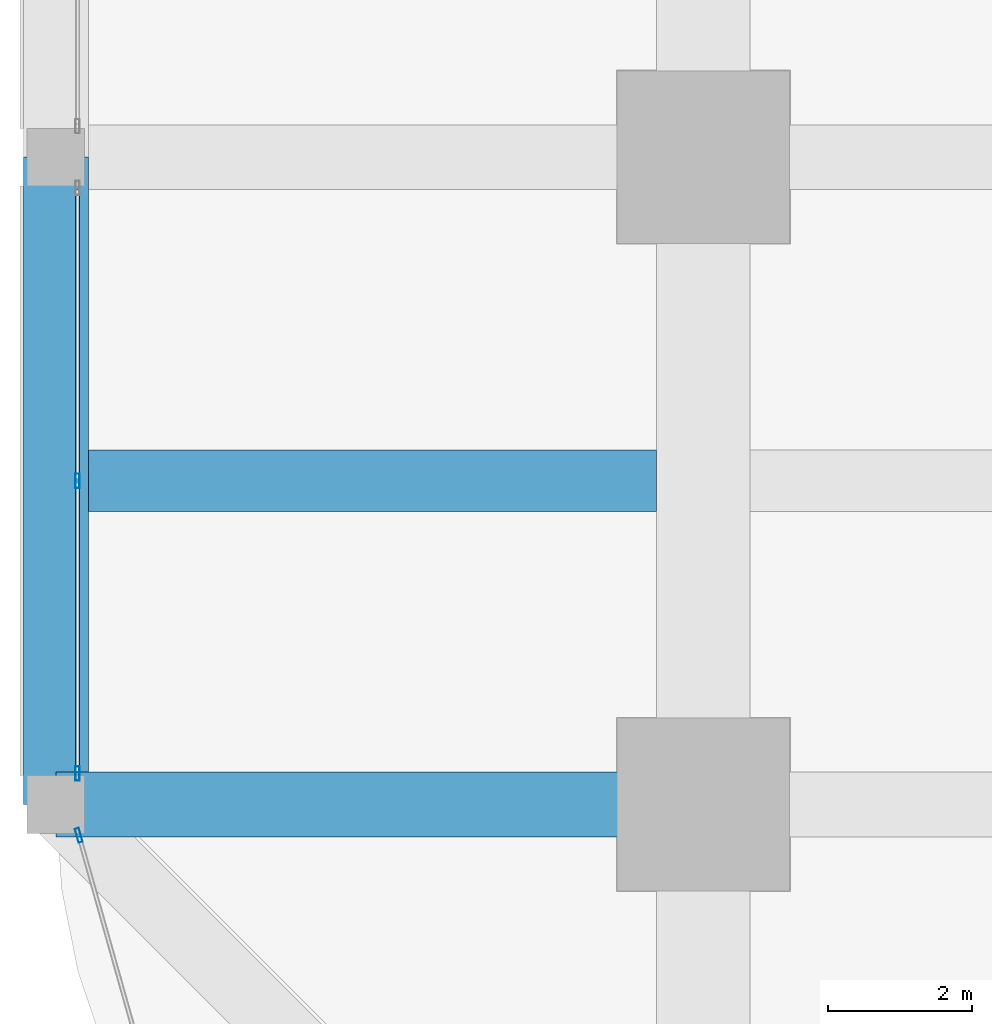
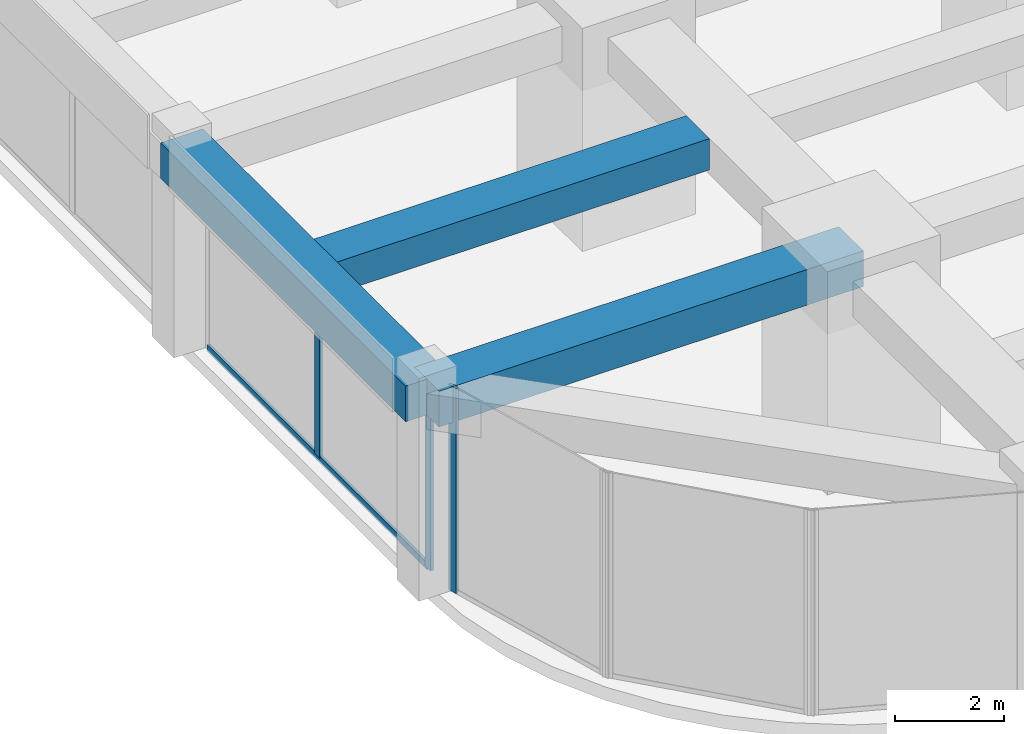
# One storey, part 4 of 46: 4 members, 3 beams, 2 elements without a shape of their own.
"""IFC4 building model written with IfcOpenShell, lengths in metres."""

from ifc_helpers import new_model, si_unit, direction, frame, origin, origin_2d, place, context, subcontext, project, spatial, rectangle, hollow_rectangle, extrude, material, material_profile, profile_set, type_object, element, aggregate, save


model = new_model("IFC4")

# Units and contexts
model_context = context("Model", 3, precision=1e-05, world=origin(), true_north=direction((0.0, 1.0)))
body_context = subcontext(model_context, "Body", "Model", "MODEL_VIEW")
ifc_project = project(units=[si_unit("LENGTHUNIT", "METRE"), si_unit("AREAUNIT", "SQUARE_METRE"), si_unit("VOLUMEUNIT", "CUBIC_METRE"), si_unit("PLANEANGLEUNIT", "RADIAN"), si_unit("MASSUNIT", "GRAM", prefix="KILO")], contexts=[model_context])

# Site, building, storey
site_placement = place(None, origin())
site = spatial("IfcSite", under=ifc_project, at=site_placement, CompositionType="ELEMENT")
building_placement = place(site_placement, origin())
building = spatial("IfcBuilding", under=site, at=building_placement, Name="Zorevar Civic Tower", CompositionType="ELEMENT")
storey_placement = place(building_placement, frame((0.0, 0.0, 10.800048828125)))
storey = spatial("IfcBuildingStorey", under=building, at=storey_placement, Name="L02", CompositionType="ELEMENT", Elevation=10.800048828125)

# Beams
ifc_material_1 = material(Name="Concrete C50/60", Category="concrete")
ifc_material_profile_1 = material_profile(ifc_material_1, rectangle(XDim=0.85009765625, YDim=0.699951171875, at=origin_2d()), Name="RC 850x700")
ifc_profile_set_1 = profile_set([ifc_material_profile_1], Name="Concrete C50/60")
beam_type_1 = type_object("IfcBeamType", Name="Beam RC 850x700", PredefinedType="BEAM", material=ifc_profile_set_1)
beam_1_placement = place(storey_placement, frame((-8.550048828125, 13.5, 4.25), z_axis=(1.0, 0.0, 0.0), x_axis=(0.0, 1.0, 0.0)))
element("IfcBeam", 1, at=beam_1_placement, inside=storey, type_object=beam_type_1, Name="Secondary beam L03", PredefinedType="BEAM", context=body_context, shape_type="SweptSolid", body=[
    extrude(rectangle(XDim=0.85009765625, YDim=0.699951171875, at=origin_2d()), origin(), (0.0, 0.0, 1.0), 7.900146484375),
])
ifc_material_2 = material(Name="Concrete C50/60", Category="concrete")
ifc_material_profile_2 = material_profile(ifc_material_2, rectangle(XDim=0.89990234375, YDim=0.800048828125, at=origin_2d()), Name="RC 900x800")
ifc_profile_set_2 = profile_set([ifc_material_profile_2], Name="Concrete C50/60")
beam_type_2 = type_object("IfcBeamType", Name="Beam RC 900x800", PredefinedType="BEAM", material=ifc_profile_set_2)
beam_2_placement = place(storey_placement, frame((-9.0, 9.0, 4.199951171875), z_axis=(1.0, 0.0, 0.0), x_axis=(0.0, 1.0, 0.0)))
element("IfcBeam", 2, at=beam_2_placement, inside=storey, type_object=beam_type_2, Name="Girder L03", PredefinedType="BEAM", context=body_context, shape_type="SweptSolid", body=[
    extrude(rectangle(XDim=0.89990234375, YDim=0.800048828125, at=origin_2d()), origin(), (0.0, 0.0, 1.0), 9.0),
])

# Curtain wall, members
ifc_material_3 = material(Name="Dark grey solar-control glass in black aluminium frame", Category="aluminium")
curtain_wall_type = type_object("IfcCurtainWallType", Name="Curtain wall CW1 podium", PredefinedType="NOTDEFINED", material=ifc_material_3)
curtain_wall_1_placement = place(storey_placement, origin())
curtain_wall_1 = element("IfcCurtainWall", 3, at=curtain_wall_1_placement, inside=storey, type_object=curtain_wall_type, Name="CW1 L02", PredefinedType="NOTDEFINED")
ifc_material_4 = material(Name="Aluminium, black anodised", Category="aluminium")
ifc_material_profile_3 = material_profile(ifc_material_4, hollow_rectangle(XDim=0.06005859375, YDim=0.199951171875, WallThickness=0.00390625, at=origin_2d()), Name="AL 200x60x4")
ifc_profile_set_3 = profile_set([ifc_material_profile_3], Name="Aluminium, black anodised")
member_type_1 = type_object("IfcMemberType", Name="CW1 mullion AL 200x60x4", PredefinedType="MULLION", material=ifc_profile_set_3)
member_1_placement = place(storey_placement, frame((-8.699951171875, 9.429931640625, 0.0), z_axis=(0.0, 0.0, 1.0), x_axis=(-1.0, 0.0, 0.0)))
member_1 = element("IfcMember", 4, at=member_1_placement, type_object=member_type_1, Name="CW1 mullion 1", PredefinedType="MULLION", context=body_context, shape_type="SweptSolid", body=[
    extrude(hollow_rectangle(XDim=0.06005859375, YDim=0.199951171875, WallThickness=0.00390625, at=origin_2d()), origin(), (0.0, 0.0, 1.0), 3.800048828125),
])
member_2_placement = place(storey_placement, frame((-8.699951171875, 13.5, 0.06005859375), z_axis=(0.0, 0.0, 1.0), x_axis=(-1.0, 0.0, 0.0)))
member_2 = element("IfcMember", 5, at=member_2_placement, type_object=member_type_1, Name="CW1 mullion 2", PredefinedType="MULLION", context=body_context, shape_type="SweptSolid", body=[
    extrude(hollow_rectangle(XDim=0.06005859375, YDim=0.199951171875, WallThickness=0.00390625, at=origin_2d()), origin(), (0.0, 0.0, 1.0), 3.739990234375),
])

# Curtain wall, member
curtain_wall_2_placement = place(storey_placement, origin())
curtain_wall_2 = element("IfcCurtainWall", 6, at=curtain_wall_2_placement, inside=storey, type_object=curtain_wall_type, Name="CW1 L02", PredefinedType="NOTDEFINED")
member_3_placement = place(storey_placement, frame((-8.6826171875, 8.571044921875, 0.0), z_axis=(0.0, 0.0, 1.0), x_axis=(0.962390725943, 0.271669082929, 0.0)))
member_3 = element("IfcMember", 7, at=member_3_placement, type_object=member_type_1, Name="CW1 mullion 1", PredefinedType="MULLION", context=body_context, shape_type="SweptSolid", body=[
    extrude(hollow_rectangle(XDim=0.06005859375, YDim=0.199951171875, WallThickness=0.00390625, at=origin_2d()), origin(), (0.0, 0.0, 1.0), 4.599853515625),
])
aggregate(curtain_wall_2, [member_3])

# Member
ifc_material_5 = material(Name="Aluminium, black anodised", Category="aluminium")
ifc_material_profile_4 = material_profile(ifc_material_5, hollow_rectangle(XDim=0.06005859375, YDim=0.14990234375, WallThickness=0.00390625, at=origin_2d()), Name="AL 150x60x4")
ifc_profile_set_4 = profile_set([ifc_material_profile_4], Name="Aluminium, black anodised")
member_type_2 = type_object("IfcMemberType", Name="CW1 transom AL 150x60x4", PredefinedType="USERDEFINED", material=ifc_profile_set_4)
member_4_placement = place(storey_placement, frame((-8.699951171875, 9.4599609375, 0.030029296875), z_axis=(0.0, 1.0, 0.0), x_axis=(-1.0, 0.0, 0.0)))
member_4 = element("IfcMember", 8, at=member_4_placement, type_object=member_type_2, Name="CW1 sill transom", ObjectType="TRANSOM", PredefinedType="USERDEFINED", context=body_context, shape_type="SweptSolid", body=[
    extrude(hollow_rectangle(XDim=0.06005859375, YDim=0.14990234375, WallThickness=0.00390625, at=origin_2d()), origin(), (0.0, 0.0, 1.0), 8.080078125),
])

aggregate(curtain_wall_1, [member_1, member_2, member_4])

# Beam
ifc_material_6 = material(Name="Concrete C50/60", Category="concrete")
ifc_material_profile_5 = material_profile(ifc_material_6, rectangle(XDim=0.89990234375, YDim=0.800048828125, at=origin_2d()), Name="RC 900x800")
ifc_profile_set_5 = profile_set([ifc_material_profile_5], Name="Concrete C50/60")
beam_type_3 = type_object("IfcBeamType", Name="Edge beam RC 900x800", PredefinedType="SPANDREL", material=ifc_profile_set_5)
beam_3_placement = place(storey_placement, frame((-9.0, 9.0, 4.199951171875), z_axis=(0.0, 1.0, 0.0), x_axis=(-1.0, 0.0, 0.0)))
element("IfcBeam", 9, at=beam_3_placement, inside=storey, type_object=beam_type_3, Name="Edge beam L03", PredefinedType="SPANDREL", context=body_context, shape_type="SweptSolid", body=[
    extrude(rectangle(XDim=0.89990234375, YDim=0.800048828125, at=origin_2d()), origin(), (0.0, 0.0, 1.0), 9.0),
])

save(model, "model.ifc")
